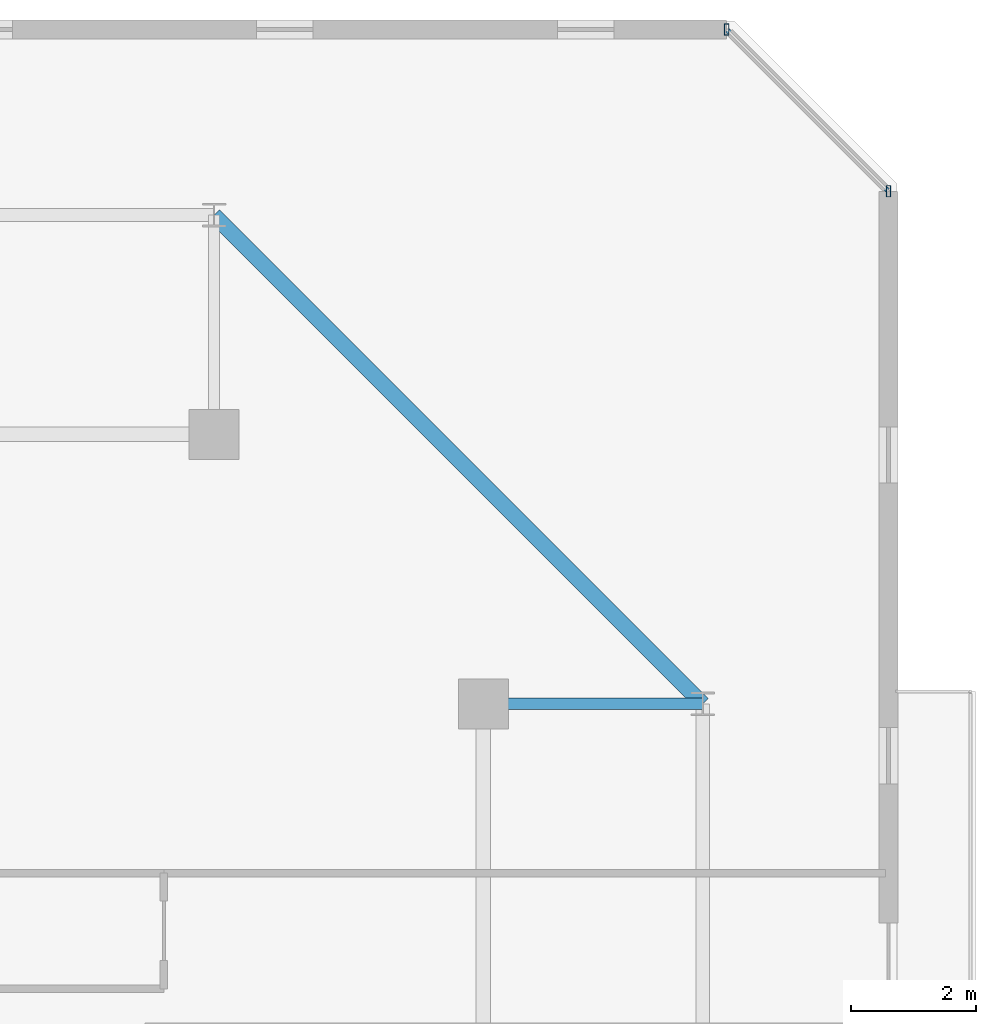
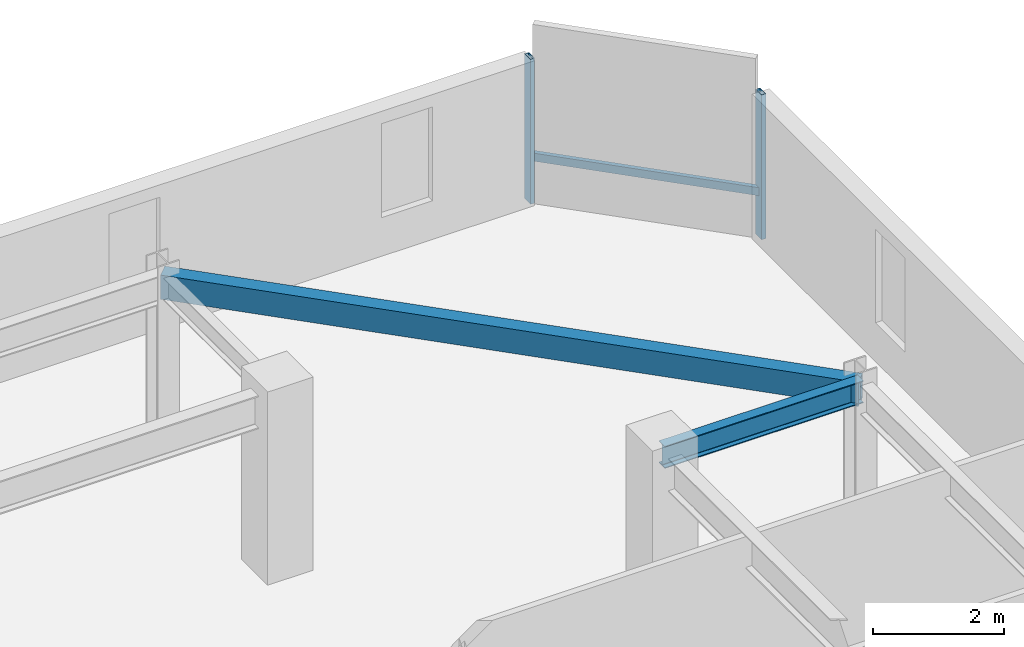
# One storey, part 19 of 34: 3 members, 2 beams, 1 element without a shape of its own.
"""IFC4 building model written with IfcOpenShell, lengths in metres."""

from ifc_helpers import new_model, si_unit, direction, frame, origin, origin_2d, place, context, subcontext, project, spatial, hollow_rectangle, i_section, extrude, material, material_profile, profile_set, type_object, element, aggregate, save


model = new_model("IFC4")

# Units and contexts
model_context = context("Model", 3, precision=1e-05, world=origin(), true_north=direction((0.0, 1.0)))
body_context = subcontext(model_context, "Body", "Model", "MODEL_VIEW")
ifc_project = project(units=[si_unit("LENGTHUNIT", "METRE"), si_unit("AREAUNIT", "SQUARE_METRE"), si_unit("VOLUMEUNIT", "CUBIC_METRE"), si_unit("PLANEANGLEUNIT", "RADIAN"), si_unit("MASSUNIT", "GRAM", prefix="KILO")], contexts=[model_context])

# Site, building, storey
site_placement = place(None, origin())
site = spatial("IfcSite", under=ifc_project, at=site_placement, CompositionType="ELEMENT")
building_placement = place(site_placement, origin())
building = spatial("IfcBuilding", under=site, at=building_placement, Name="Thornwick Lancets Civic Towers", CompositionType="ELEMENT")
storey_placement = place(building_placement, frame((0.0, 0.0, 261.89990234375)))
storey = spatial("IfcBuildingStorey", under=building, at=storey_placement, Name="L70", CompositionType="ELEMENT", Elevation=261.89990234375)

# Beams
ifc_material_1 = material(Name="Steel S355JR", Category="steel")
ifc_material_profile_1 = material_profile(ifc_material_1, i_section(OverallWidth=0.179443359375, OverallDepth=0.412841796875, WebThickness=0.009521484375, FlangeThickness=0.01611328125, FilletRadius=0.01025390625, at=origin_2d()), Name="UKB 406x178x74")
ifc_profile_set_1 = profile_set([ifc_material_profile_1], Name="Steel S355JR")
beam_type_1 = type_object("IfcBeamType", Name="BM_JOIST_406_74", PredefinedType="JOIST", material=ifc_profile_set_1)
beam_1_placement = place(storey_placement, frame((105.800048828125, 40.0, 3.15380859375), z_axis=(1.0, 0.0, 0.0), x_axis=(0.0, 1.0, 0.0)))
element("IfcBeam", 1, at=beam_1_placement, inside=storey, type_object=beam_type_1, Name="BM-RAD-L70-B03", PredefinedType="JOIST", context=body_context, shape_type="SweptSolid", body=[
    extrude(i_section(OverallWidth=0.179443359375, OverallDepth=0.412841796875, WebThickness=0.009521484375, FlangeThickness=0.01611328125, FilletRadius=0.01025390625, at=origin_2d()), origin(), (0.0, 0.0, 1.0), 3.5),
])
ifc_material_profile_2 = material_profile(ifc_material_1, hollow_rectangle(XDim=0.25, YDim=0.449951171875, WallThickness=0.01611328125, at=origin_2d()), Name="RHS 450x250x16")
ifc_profile_set_2 = profile_set([ifc_material_profile_2], Name="Steel S355JR")
beam_type_2 = type_object("IfcBeamType", Name="BM_RING_RHS450", PredefinedType="BEAM", material=ifc_profile_set_2)
beam_2_placement = place(storey_placement, frame((109.300048828125, 40.0, 3.135009765625), z_axis=(-0.707106781187, 0.707106781187, 0.0), x_axis=(-0.707106781187, -0.707106781187, 0.0)))
element("IfcBeam", 2, at=beam_2_placement, inside=storey, type_object=beam_type_2, Name="BM-CHAMF-L70-B-C0", PredefinedType="BEAM", context=body_context, shape_type="SweptSolid", body=[
    extrude(hollow_rectangle(XDim=0.25, YDim=0.449951171875, WallThickness=0.01611328125, at=origin_2d()), origin(), (0.0, 0.0, 1.0), 11.031005859375),
])

# Curtain wall, members
ifc_material_2 = material(Name="High-zone chamfered-corner unitised glass curtain wall", Category="glass")
curtain_wall_type = type_object("IfcCurtainWallType", Name="CW_SYS_05", PredefinedType="NOTDEFINED", material=ifc_material_2)
curtain_wall_placement = place(storey_placement, origin())
curtain_wall = element("IfcCurtainWall", 3, at=curtain_wall_placement, inside=storey, type_object=curtain_wall_type, Name="L70 Curtain Wall CW-L70-B-E3", PredefinedType="NOTDEFINED")
ifc_material_3 = material(Name="Thermally broken bronze aluminium S355", Category="steel")
ifc_material_profile_3 = material_profile(ifc_material_3, hollow_rectangle(XDim=0.074951171875, YDim=0.179931640625, WallThickness=0.006103515625, at=origin_2d()), Name="RHS 180x75x6")
ifc_profile_set_3 = profile_set([ifc_material_profile_3], Name="Thermally broken bronze aluminium S355")
member_type_1 = type_object("IfcMemberType", Name="CW_MUL_180", PredefinedType="MULLION", material=ifc_profile_set_3)
member_1_placement = place(storey_placement, frame((112.2646484375, 48.181396484375, 0.0), z_axis=(0.0, 0.0, 1.0), x_axis=(1.0, 0.0, 0.0)))
member_1 = element("IfcMember", 4, at=member_1_placement, type_object=member_type_1, Name="CW-L70-B-E3 Mullion 0", PredefinedType="MULLION", context=body_context, shape_type="SweptSolid", body=[
    extrude(hollow_rectangle(XDim=0.074951171875, YDim=0.179931640625, WallThickness=0.006103515625, at=origin_2d()), origin(), (0.0, 0.0, 1.0), 2.7001953125),
])
member_2_placement = place(storey_placement, frame((109.681396484375, 50.7646484375, 0.0), z_axis=(0.0, 0.0, 1.0), x_axis=(1.0, 0.0, 0.0)))
member_2 = element("IfcMember", 5, at=member_2_placement, type_object=member_type_1, Name="CW-L70-B-E3 Mullion 1", PredefinedType="MULLION", context=body_context, shape_type="SweptSolid", body=[
    extrude(hollow_rectangle(XDim=0.074951171875, YDim=0.179931640625, WallThickness=0.006103515625, at=origin_2d()), origin(), (0.0, 0.0, 1.0), 2.7001953125),
])
ifc_material_profile_4 = material_profile(ifc_material_3, hollow_rectangle(XDim=0.074951171875, YDim=0.14990234375, WallThickness=0.0048828125, at=origin_2d()), Name="RHS 150x75x5")
ifc_profile_set_4 = profile_set([ifc_material_profile_4], Name="Thermally broken bronze aluminium S355")
member_type_2 = type_object("IfcMemberType", Name="CW_TRN_150", PredefinedType="USERDEFINED", material=ifc_profile_set_4)
member_3_placement = place(storey_placement, frame((112.25048828125, 48.195556640625, 0.85009765625), z_axis=(-0.707106781187, 0.707106781187, 0.0), x_axis=(-0.707106781187, -0.707106781187, 0.0)))
member_3 = element("IfcMember", 6, at=member_3_placement, type_object=member_type_2, Name="CW-L70-B-E3 Transom 0", ObjectType="TRANSOM", PredefinedType="USERDEFINED", context=body_context, shape_type="SweptSolid", body=[
    extrude(hollow_rectangle(XDim=0.074951171875, YDim=0.14990234375, WallThickness=0.0048828125, at=origin_2d()), origin(), (0.0, 0.0, 1.0), 3.61328125),
])
aggregate(curtain_wall, [member_1, member_2, member_3])

save(model, "model.ifc")
